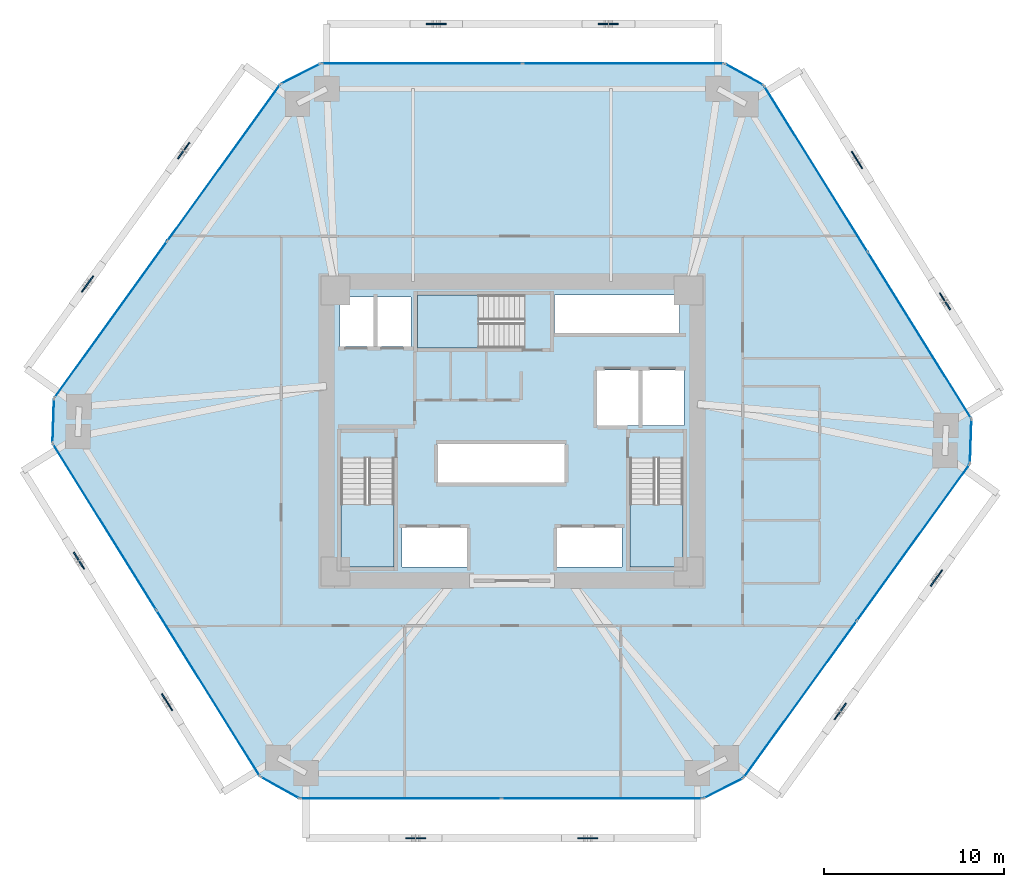
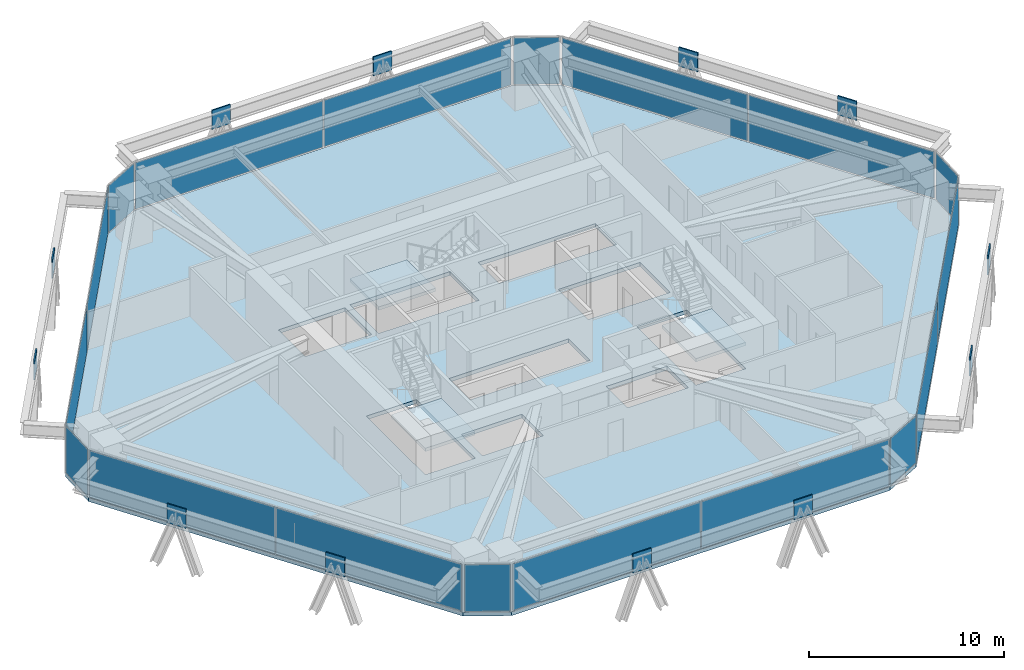
# One storey, part 10 of 16: 30 plates, 4 slabs, 15 elements without a shape of their own.
"""IFC4 building model written with IfcOpenShell, lengths in metres."""

import ifcopenshell
import ifcopenshell.guid

model = None  # the IFC model being written
_history = None  # IfcOwnerHistory: only IFC2X3 demands one
_inside = {}  # id of a spatial element -> (the spatial element, [elements in it])
_under = {}  # id of a project, library or spatial element -> (it, [spatial elements below it])
_declared = {}  # id of a project -> (the project, [libraries it declares])
_typed = {}  # id of a type object -> (the type object, [elements of that type])
_made_of = {}  # id of a material, layer set ... -> (it, [elements and type objects made of it])


def new_model(schema):
    """Start an empty IFC model of exactly this schema.

    Asked for "IFC4X3", IfcOpenShell would pick the latest addendum, in which some entities
    have other attributes; the version numbers below select the first issue.
    IFC2X3 requires an IfcOwnerHistory on every rooted entity: one is made here for all.
    """
    global model, _history
    if schema == "IFC4X3":
        model = ifcopenshell.file(schema_version=(4, 3, 0, 0))
    else:
        model = ifcopenshell.file(schema=schema)
    _inside.clear()
    _under.clear()
    _declared.clear()
    _typed.clear()
    _made_of.clear()
    _history = None
    if model.schema == "IFC2X3":
        org = make("IfcOrganization", Name="unknown")
        user = make(
            "IfcPersonAndOrganization",
            ThePerson=make("IfcPerson", FamilyName="unknown"),
            TheOrganization=org,
        )
        app = make(
            "IfcApplication",
            ApplicationDeveloper=org,
            Version="unknown",
            ApplicationFullName="unknown",
            ApplicationIdentifier="unknown",
        )
        _history = make(
            "IfcOwnerHistory",
            OwningUser=user,
            OwningApplication=app,
            ChangeAction="ADDED",
            CreationDate=0,
        )
    return model


def make(cls, **values):
    """One entity of the class cls with the attributes given. An attribute that is None is left unset."""
    return model.create_entity(
        cls, **{name: value for name, value in values.items() if value is not None}
    )


def rooted(cls, **values):
    """An entity with a GlobalId (a new one), such as an element, a storey or a relation."""
    return make(cls, GlobalId=ifcopenshell.guid.new(), OwnerHistory=_history, **values)


def si_unit(unit_type, name, prefix=None):
    """IfcSIUnit, for example si_unit("LENGTHUNIT", "METRE", prefix="MILLI")."""
    return make("IfcSIUnit", UnitType=unit_type, Prefix=prefix, Name=name)


def assignment(units):
    """IfcUnitAssignment: the units of a project."""
    return None if units is None else make("IfcUnitAssignment", Units=units)


def point(xyz):
    """IfcCartesianPoint."""
    return None if xyz is None else make("IfcCartesianPoint", Coordinates=xyz)


def direction(xyz):
    """IfcDirection."""
    return None if xyz is None else make("IfcDirection", DirectionRatios=xyz)


def frame(location, z_axis=None, x_axis=None):
    """IfcAxis2Placement3D, a coordinate frame: its origin and axes. An axis left out is left unset."""
    return make(
        "IfcAxis2Placement3D",
        Location=point(location),
        Axis=direction(z_axis),
        RefDirection=direction(x_axis),
    )


def frame_2d(location, x_axis=None):
    """IfcAxis2Placement2D, a coordinate frame in the plane: its origin and x axis."""
    return make(
        "IfcAxis2Placement2D", Location=point(location), RefDirection=direction(x_axis)
    )


def origin():
    """The frame at (0, 0, 0) with its axes left unset."""
    return frame((0.0, 0.0, 0.0))


def origin_2d():
    """The frame at (0, 0) in the plane with its x axis left unset."""
    return frame_2d((0.0, 0.0))


def place(relative_to, where):
    """IfcLocalPlacement: puts the frame where relative to a parent placement (None: the world)."""
    return make(
        "IfcLocalPlacement", PlacementRelTo=relative_to, RelativePlacement=where
    )


def context(
    kind, dimensions, precision=None, world=None, true_north=None, identifier=None
):
    """IfcGeometricRepresentationContext, for example the 3D "Model" context."""
    return make(
        "IfcGeometricRepresentationContext",
        ContextIdentifier=identifier,
        ContextType=kind,
        CoordinateSpaceDimension=dimensions,
        Precision=precision,
        WorldCoordinateSystem=world,
        TrueNorth=true_north,
    )


def subcontext(parent, identifier, kind, view, scale=None):
    """IfcGeometricRepresentationSubContext, for example "Body" below "Model"."""
    return make(
        "IfcGeometricRepresentationSubContext",
        ContextIdentifier=identifier,
        ContextType=kind,
        ParentContext=parent,
        TargetScale=scale,
        TargetView=view,
    )


def project(units=None, contexts=None):
    """IfcProject with its units and contexts."""
    return rooted(
        "IfcProject",
        Name="project",
        RepresentationContexts=contexts,
        UnitsInContext=assignment(units),
    )


def spatial(cls, under=None, at=None, **own):
    """A site, building, storey or space (cls), placed at a placement, below another one or the project."""
    s = rooted(cls, ObjectPlacement=at, **own)
    if under is not None:
        _under.setdefault(under.id(), (under, []))[1].append(s)
    return s


def polyline(points):
    """IfcPolyline through the points."""
    return make("IfcPolyline", Points=[point(p) for p in points])


def profile(cls, at=None, kind="AREA", **sizes):
    """A parametric profile (cls). Its sizes go by their IFC names, for example OverallWidth=200.0."""
    return make(cls, ProfileType=kind, Position=at, **sizes)


def rectangle(**sizes):
    """IfcRectangleProfileDef."""
    return profile("IfcRectangleProfileDef", **sizes)


def outline(outer, holes=None, kind="AREA"):
    """IfcArbitraryClosedProfileDef: a profile drawn as a closed curve; with holes, ...WithVoids."""
    if holes is None:
        return make("IfcArbitraryClosedProfileDef", ProfileType=kind, OuterCurve=outer)
    return make(
        "IfcArbitraryProfileDefWithVoids",
        ProfileType=kind,
        OuterCurve=outer,
        InnerCurves=holes,
    )


def extrude(swept, where, along, depth):
    """IfcExtrudedAreaSolid: the profile swept, set in the frame where, extruded along a direction by depth."""
    return make(
        "IfcExtrudedAreaSolid",
        SweptArea=swept,
        Position=where,
        ExtrudedDirection=direction(along),
        Depth=depth,
    )


def shape(context_of_items, identifier, shape_type, items):
    """IfcShapeRepresentation: the items that make up one representation, for example the "Body"."""
    return make(
        "IfcShapeRepresentation",
        ContextOfItems=context_of_items,
        RepresentationIdentifier=identifier,
        RepresentationType=shape_type,
        Items=items,
    )


def source(mapping_origin, context_of_items, identifier, shape_type, items):
    """IfcRepresentationMap: a shape defined once, which mapped items show again and again."""
    return make(
        "IfcRepresentationMap",
        MappingOrigin=mapping_origin,
        MappedRepresentation=shape(context_of_items, identifier, shape_type, items),
    )


def transform(
    local_origin,
    x_axis=None,
    y_axis=None,
    z_axis=None,
    scale=None,
    scale2=None,
    scale3=None,
    uniform=True,
):
    """IfcCartesianTransformationOperator3D, or its non-uniform kind. x_axis, y_axis, z_axis: its Axis1, 2, 3."""
    if uniform:
        return make(
            "IfcCartesianTransformationOperator3D",
            Axis1=direction(x_axis),
            Axis2=direction(y_axis),
            LocalOrigin=point(local_origin),
            Scale=scale,
            Axis3=direction(z_axis),
        )
    return make(
        "IfcCartesianTransformationOperator3DnonUniform",
        Axis1=direction(x_axis),
        Axis2=direction(y_axis),
        LocalOrigin=point(local_origin),
        Scale=scale,
        Axis3=direction(z_axis),
        Scale2=scale2,
        Scale3=scale3,
    )


def mapped(mapping_source, mapping_target):
    """IfcMappedItem: shows the shape of a source again, moved by a transform."""
    return make(
        "IfcMappedItem", MappingSource=mapping_source, MappingTarget=mapping_target
    )


def material(Name=None, Category=None):
    """IfcMaterial."""
    return make("IfcMaterial", Name=Name, Category=Category)


def layer(
    of_material, thickness, ventilated=None, Name=None, Category=None, Priority=None
):
    """IfcMaterialLayer: one layer of a wall or slab, of a material (None: an air gap)."""
    return make(
        "IfcMaterialLayer",
        Material=of_material,
        LayerThickness=thickness,
        IsVentilated=ventilated,
        Name=Name,
        Category=Category,
        Priority=Priority,
    )


def layer_set(layers, Name=None):
    """IfcMaterialLayerSet."""
    return make("IfcMaterialLayerSet", MaterialLayers=layers, LayerSetName=Name)


def made_of(thing, what):
    """Note that an element or type object is made of a material, layer set ...; save() writes the relation."""
    if what is not None:
        _made_of.setdefault(what.id(), (what, []))[1].append(thing)
    return thing


def type_object(cls, material=None, **own):
    """A type object (cls), such as IfcWallType, which elements share."""
    return made_of(rooted(cls, **own), material)


def type_shapes(of_type, sources):
    """Give a type object the sources (RepresentationMaps) that its elements show as mapped items."""
    of_type.RepresentationMaps = sources


def element(
    cls,
    number,
    at=None,
    inside=None,
    cuts=None,
    type_object=None,
    material=None,
    context=None,
    identifier="Body",
    shape_type=None,
    held_by="IfcProductDefinitionShape",
    body=None,
    shapes=None,
    **own,
):
    """One element of the class cls, such as IfcWall. Its Tag is "e" and its number.

    at: its placement. inside: the storey or other place that contains it. cuts: it is an
    opening in that element (IfcRelVoidsElement). A single representation is given by context,
    identifier, shape_type and body (its items); several are given by shapes. held_by: the class
    of the entity that holds the representations. save() writes the other relations.
    """
    e = rooted(cls, Tag="e%d" % number, ObjectPlacement=at, **own)
    if body is not None:
        shapes = [shape(context, identifier, shape_type, body)]
    if shapes is not None:
        e.Representation = make(held_by, Representations=shapes)
    if inside is not None:
        _inside.setdefault(inside.id(), (inside, []))[1].append(e)
    if cuts is not None:
        rooted(
            "IfcRelVoidsElement", RelatingBuildingElement=cuts, RelatedOpeningElement=e
        )
    if type_object is not None:
        _typed.setdefault(type_object.id(), (type_object, []))[1].append(e)
    return made_of(e, material)


def aggregate(whole, parts):
    """IfcRelAggregates: a whole, such as a stair, and the parts it consists of."""
    return rooted("IfcRelAggregates", RelatingObject=whole, RelatedObjects=parts)


def save(model, path):
    """Write the relations noted so far, then the file.

    IfcRelAggregates (storeys below a building ...), IfcRelContainedInSpatialStructure (elements
    in a storey), IfcRelDefinesByType, IfcRelAssociatesMaterial and IfcRelDeclares: one each for
    every whole, place, type object, material and project.
    """
    for whole, parts in _under.values():
        aggregate(whole, parts)
    for where, things in _inside.values():
        rooted(
            "IfcRelContainedInSpatialStructure",
            RelatedElements=things,
            RelatingStructure=where,
        )
    for kind, things in _typed.values():
        rooted("IfcRelDefinesByType", RelatedObjects=things, RelatingType=kind)
    for what, things in _made_of.values():
        rooted("IfcRelAssociatesMaterial", RelatedObjects=things, RelatingMaterial=what)
    for by, libraries in _declared.values():
        rooted("IfcRelDeclares", RelatingContext=by, RelatedDefinitions=libraries)
    model.write(path)


model = new_model("IFC4")

# Units and contexts
model_context = context("Model", 3, precision=1e-05, world=origin(), true_north=direction((0.0, 1.0)))
body_context = subcontext(model_context, "Body", "Model", "MODEL_VIEW")
ifc_project = project(units=[si_unit("LENGTHUNIT", "METRE"), si_unit("AREAUNIT", "SQUARE_METRE"), si_unit("VOLUMEUNIT", "CUBIC_METRE"), si_unit("PLANEANGLEUNIT", "RADIAN"), si_unit("MASSUNIT", "GRAM", prefix="KILO")], contexts=[model_context])

# Site, building, storey
site_placement = place(None, origin())
site = spatial("IfcSite", under=ifc_project, at=site_placement, CompositionType="ELEMENT")
building_placement = place(site_placement, origin())
building = spatial("IfcBuilding", under=site, at=building_placement, Name="Durnholm Broadcast Tower", CompositionType="ELEMENT")
storey_placement = place(building_placement, frame((0.0, 0.0, 65.39990234375)))
storey = spatial("IfcBuildingStorey", under=building, at=storey_placement, Name="L16", CompositionType="ELEMENT", Elevation=65.39990234375)

# Slab
ifc_material_1 = material(Name="Concrete C50/60", Category="concrete")
ifc_layer_1 = layer(ifc_material_1, 0.239990234375)
ifc_layer_set_1 = layer_set([ifc_layer_1], Name="Concrete C50/60")
slab_type_1 = type_object("IfcSlabType", Name="SLAB-FLR-240", PredefinedType="FLOOR", material=ifc_layer_set_1)
slab_1_placement = place(storey_placement, frame((0.0, 0.0, -0.239990234375)))
element("IfcSlab", 1, at=slab_1_placement, inside=storey, type_object=slab_type_1, Name="L16 structural floor slab", PredefinedType="FLOOR", context=body_context, shape_type="SweptSolid", body=[
    extrude(outline(polyline([(-13.9794921875, -19.186279296875), (-11.793701171875, -20.39990234375), (10.6201171875, -20.39990234375), (12.845703125, -19.260986328125), (25.419921875, -1.820556640625), (25.50439453125, 0.677978515625), (13.9794921875, 19.186279296875), (11.793701171875, 20.39990234375), (-10.6201171875, 20.39990234375), (-12.845703125, 19.260986328125), (-25.419921875, 1.820556640625), (-25.50439453125, -0.677978515625), (-13.9794921875, -19.186279296875)]), holes=[polyline([(-2.5, -5.35009765625), (-6.10009765625, -5.35009765625), (-6.10009765625, -7.550048828125), (-2.5, -7.550048828125), (-2.5, -5.35009765625)]), polyline([(6.10009765625, -5.35009765625), (2.5, -5.35009765625), (2.5, -7.550048828125), (6.10009765625, -7.550048828125), (6.10009765625, -5.35009765625)]), polyline([(-6.5400390625, -7.550048828125), (-6.5400390625, -1.5), (-9.5, -1.5), (-9.5, -7.550048828125), (-6.5400390625, -7.550048828125)]), polyline([(9.5, -7.550048828125), (9.5, -1.5), (6.5400390625, -1.5), (6.5400390625, -7.550048828125), (9.5, -7.550048828125)]), polyline([(2.949951171875, -0.699951171875), (-4.14990234375, -0.699951171875), (-4.14990234375, -2.89990234375), (2.949951171875, -2.89990234375), (2.949951171875, -0.699951171875)]), polyline([(9.550048828125, 3.39990234375), (4.699951171875, 3.39990234375), (4.699951171875, 0.300048828125), (9.550048828125, 0.300048828125), (9.550048828125, 3.39990234375)]), polyline([(-5.60009765625, 7.449951171875), (-9.550048828125, 7.449951171875), (-9.550048828125, 4.699951171875), (-5.60009765625, 4.699951171875), (-5.60009765625, 7.449951171875)]), polyline([(-5.25, 7.56005859375), (-5.25, 4.60009765625), (0.699951171875, 4.60009765625), (0.699951171875, 7.56005859375), (-5.25, 7.56005859375)]), polyline([(9.31005859375, 5.39990234375), (9.31005859375, 7.550048828125), (2.35009765625, 7.550048828125), (2.35009765625, 5.39990234375), (9.31005859375, 5.39990234375)])]), origin(), (0.0, 0.0, 1.0), 0.239990234375),
])

# Stair, slab
stair_type = type_object("IfcStairType", Name="STAIR-DL-20R1650", PredefinedType="HALF_TURN_STAIR", material=ifc_material_1)
stair_1_placement = place(storey_placement, origin())
stair_1 = element("IfcStair", 2, at=stair_1_placement, inside=storey, type_object=stair_type, Name="L16 ST-1", PredefinedType="HALF_TURN_STAIR")
ifc_layer_2 = layer(ifc_material_1, 0.199951171875)
ifc_layer_set_2 = layer_set([ifc_layer_2], Name="Concrete C50/60")
slab_type_2 = type_object("IfcSlabType", Name="SLAB-LND-200", PredefinedType="LANDING", material=ifc_layer_set_2)
slab_2_placement = place(storey_placement, frame((0.0, 0.0, 1.4501953125)))
slab_2 = element("IfcSlab", 3, at=slab_2_placement, type_object=slab_type_2, Name="ST-1 landing 1", PredefinedType="LANDING", context=body_context, shape_type="SweptSolid", body=[
    extrude(outline(polyline([(-9.5, -4.06494140625), (-9.5, -7.550048828125), (-6.5400390625, -7.550048828125), (-6.5400390625, -4.06494140625), (-9.5, -4.06494140625)])), origin(), (0.0, 0.0, 1.0), 0.199951171875),
])
aggregate(stair_1, [slab_2])

stair_2_placement = place(storey_placement, origin())
stair_2 = element("IfcStair", 4, at=stair_2_placement, inside=storey, type_object=stair_type, Name="L16 ST-2", PredefinedType="HALF_TURN_STAIR")
slab_3_placement = place(storey_placement, frame((0.0, 0.0, 1.4501953125)))
slab_3 = element("IfcSlab", 5, at=slab_3_placement, type_object=slab_type_2, Name="ST-2 landing 1", PredefinedType="LANDING", context=body_context, shape_type="SweptSolid", body=[
    extrude(outline(polyline([(6.5400390625, -4.06494140625), (6.5400390625, -7.550048828125), (9.5, -7.550048828125), (9.5, -4.06494140625), (6.5400390625, -4.06494140625)])), origin(), (0.0, 0.0, 1.0), 0.199951171875),
])
aggregate(stair_2, [slab_3])

stair_3_placement = place(storey_placement, origin())
stair_3 = element("IfcStair", 6, at=stair_3_placement, inside=storey, type_object=stair_type, Name="L16 ST-3", PredefinedType="HALF_TURN_STAIR")
slab_4_placement = place(storey_placement, frame((0.0, 0.0, 1.4501953125)))
slab_4 = element("IfcSlab", 7, at=slab_4_placement, type_object=slab_type_2, Name="ST-3 landing 1", PredefinedType="LANDING", context=body_context, shape_type="SweptSolid", body=[
    extrude(outline(polyline([(-1.864990234375, 7.56005859375), (-5.25, 7.56005859375), (-5.25, 4.60009765625), (-1.864990234375, 4.60009765625), (-1.864990234375, 7.56005859375)])), origin(), (0.0, 0.0, 1.0), 0.199951171875),
])
aggregate(stair_3, [slab_4])

# Plates
ifc_material_2 = material(Name="Steel ASTM A572 Grade 50", Category="steel")
ifc_layer_3 = layer(ifc_material_2, 0.074951171875)
ifc_layer_set_3 = layer_set([ifc_layer_3], Name="Steel ASTM A572 Grade 50")
plate_type_1 = type_object("IfcPlateType", Name="PLT-KN03-GUS", PredefinedType="USERDEFINED", material=ifc_layer_set_3)
shared_shape_1 = source(origin(), body_context, "Body", "SweptSolid", [
    extrude(rectangle(XDim=1.10009765625, YDim=0.074951171875, at=origin_2d()), origin(), (0.0, 0.0, 1.0), 1.199951171875),
])
type_shapes(plate_type_1, [shared_shape_1])
for number, where, z_axis, x_axis, name in (
    (8, (-5.351318359375, -22.60009765625, 1.70849609375), (0.0, 0.0, 1.0), (1.0, 0.0, 0.0), "L16 welded diagrid node gusset plate KN03 F1"),
    (9, (4.202880859375, -22.60009765625, 1.70849609375), (0.0, 0.0, 1.0), (1.0, 0.0, 0.0), "L16 welded diagrid node gusset plate KN03 F1"),
    (10, (18.223388671875, -15.56396484375, 1.70849609375), (0.0, 0.0, 1.0), (0.584816108738, 0.81116590101, 0.0), "L16 welded diagrid node gusset plate KN03 F2"),
    (11, (23.5595703125, -8.16259765625, 1.70849609375), (0.0, 0.0, 1.0), (0.584816108738, 0.81116590101, 0.0), "L16 welded diagrid node gusset plate KN03 F2"),
    (12, (24.036376953125, 7.197509765625, 1.70849609375), (0.0, 0.0, 1.0), (-0.528586500185, 0.848879444811, 0.0), "L16 welded diagrid node gusset plate KN03 F3"),
    (13, (19.14892578125, 15.04638671875, 1.70849609375), (0.0, 0.0, 1.0), (-0.528586500185, 0.848879444811, 0.0), "L16 welded diagrid node gusset plate KN03 F3"),
    (14, (5.351318359375, 22.60009765625, 1.70849609375), (0.0, 0.0, 1.0), (-1.0, 0.0, 0.0), "L16 welded diagrid node gusset plate KN03 F4"),
    (15, (-4.202880859375, 22.60009765625, 1.70849609375), (0.0, 0.0, 1.0), (-1.0, 0.0, 0.0), "L16 welded diagrid node gusset plate KN03 F4"),
    (16, (-18.223388671875, 15.56396484375, 1.70849609375), (0.0, 0.0, 1.0), (-0.584816108738, -0.81116590101, 0.0), "L16 welded diagrid node gusset plate KN03 F5"),
    (17, (-23.5595703125, 8.16259765625, 1.70849609375), (0.0, 0.0, 1.0), (-0.584816108738, -0.81116590101, 0.0), "L16 welded diagrid node gusset plate KN03 F5"),
    (18, (-24.036376953125, -7.197509765625, 1.70849609375), (0.0, 0.0, 1.0), (0.528586500185, -0.848879444811, 0.0), "L16 welded diagrid node gusset plate KN03 F6"),
    (19, (-19.14892578125, -15.04638671875, 1.70849609375), (0.0, 0.0, 1.0), (0.528586500185, -0.848879444811, 0.0), "L16 welded diagrid node gusset plate KN03 F6"),
):
    element("IfcPlate", number, at=place(storey_placement, frame(where, z_axis=z_axis, x_axis=x_axis)), inside=storey, type_object=plate_type_1, Name=name, ObjectType="GUSSET_PLATE", PredefinedType="USERDEFINED", context=body_context, shape_type="MappedRepresentation", body=[
        mapped(shared_shape_1, transform((0.0, 0.0, 0.0), x_axis=(1.0, 0.0, 0.0), y_axis=(0.0, 1.0, 0.0), z_axis=(0.0, 0.0, 1.0), scale=1.0)),
    ])

# Curtain wall, plate
ifc_material_3 = material(Name="Aluminium and Solar Control IGU", Category="aluminium")
ifc_layer_4 = layer(ifc_material_3, 0.1650390625)
ifc_layer_set_4 = layer_set([ifc_layer_4], Name="Aluminium and Solar Control IGU")
curtain_wall_type_1 = type_object("IfcCurtainWallType", Name="CW-SYS-5", PredefinedType="NOTDEFINED", material=ifc_layer_set_4)
curtain_wall_1_placement = place(storey_placement, origin())
curtain_wall_1 = element("IfcCurtainWall", 20, at=curtain_wall_1_placement, inside=storey, type_object=curtain_wall_type_1, Name="L16 curtain wall CW-CORNER CW-L16-CRN-01", PredefinedType="NOTDEFINED")
ifc_material_4 = material(Name="Low-E Laminated Insulating Glass", Category="glass")
ifc_layer_5 = layer(ifc_material_4, 0.030029296875)
ifc_layer_set_5 = layer_set([ifc_layer_5], Name="Low-E Laminated Insulating Glass")
plate_type_2 = type_object("IfcPlateType", Name="CW-SYS-5-PNL", PredefinedType="CURTAIN_PANEL", material=ifc_layer_set_5)
shared_shape_2 = source(origin(), body_context, "Body", "SweptSolid", [
    extrude(rectangle(XDim=2.3701171875, YDim=0.030029296875, at=origin_2d()), origin(), (0.0, 0.0, 1.0), 2.929931640625),
])
plate_1_placement = place(storey_placement, frame((-25.462158203125, 0.5712890625, 0.06494140625), z_axis=(0.0, 0.0, 1.0), x_axis=(0.033839569233, 0.999427277772, 0.0)))
plate_1 = element("IfcPlate", 21, at=plate_1_placement, type_object=plate_type_2, Name="CW-CORNER panel 1.1", PredefinedType="CURTAIN_PANEL", context=body_context, shape_type="MappedRepresentation", body=[
    mapped(shared_shape_2, transform((0.0, 0.0, 0.0), x_axis=(1.0, 0.0, 0.0), y_axis=(0.0, 1.0, 0.0), z_axis=(0.0, 0.0, 1.0), scale=1.0)),
])
aggregate(curtain_wall_1, [plate_1])

curtain_wall_2_placement = place(storey_placement, origin())
curtain_wall_2 = element("IfcCurtainWall", 22, at=curtain_wall_2_placement, inside=storey, type_object=curtain_wall_type_1, Name="L16 curtain wall CW-CORNER CW-L16-CRN-03", PredefinedType="NOTDEFINED")
plate_2_placement = place(storey_placement, frame((-11.73291015625, 19.83056640625, 0.06494140625), z_axis=(0.0, 0.0, 1.0), x_axis=(0.890187804512, 0.455593758406, 0.0)))
plate_2 = element("IfcPlate", 23, at=plate_2_placement, type_object=plate_type_2, Name="CW-CORNER panel 1.1", PredefinedType="CURTAIN_PANEL", context=body_context, shape_type="MappedRepresentation", body=[
    mapped(shared_shape_2, transform((0.0, 0.0, 0.0), x_axis=(1.0, 0.0, 0.0), y_axis=(0.0, 1.0, 0.0), z_axis=(0.0, 0.0, 1.0), scale=1.0)),
])
aggregate(curtain_wall_2, [plate_2])

curtain_wall_3_placement = place(storey_placement, origin())
curtain_wall_3 = element("IfcCurtainWall", 24, at=curtain_wall_3_placement, inside=storey, type_object=curtain_wall_type_1, Name="L16 curtain wall CW-CORNER CW-L16-CRN-07", PredefinedType="NOTDEFINED")
plate_3_placement = place(storey_placement, frame((25.462158203125, -0.5712890625, 0.06494140625), z_axis=(0.0, 0.0, 1.0), x_axis=(-0.033839569233, -0.999427277772, 0.0)))
plate_3 = element("IfcPlate", 25, at=plate_3_placement, type_object=plate_type_2, Name="CW-CORNER panel 1.1", PredefinedType="CURTAIN_PANEL", context=body_context, shape_type="MappedRepresentation", body=[
    mapped(shared_shape_2, transform((0.0, 0.0, 0.0), x_axis=(1.0, 0.0, 0.0), y_axis=(0.0, 1.0, 0.0), z_axis=(0.0, 0.0, 1.0), scale=1.0)),
])
aggregate(curtain_wall_3, [plate_3])

curtain_wall_4_placement = place(storey_placement, origin())
curtain_wall_4 = element("IfcCurtainWall", 26, at=curtain_wall_4_placement, inside=storey, type_object=curtain_wall_type_1, Name="L16 curtain wall CW-CORNER CW-L16-CRN-09", PredefinedType="NOTDEFINED")
plate_4_placement = place(storey_placement, frame((11.73291015625, -19.83056640625, 0.06494140625), z_axis=(0.0, 0.0, 1.0), x_axis=(-0.890187804512, -0.455593758406, 0.0)))
plate_4 = element("IfcPlate", 27, at=plate_4_placement, type_object=plate_type_2, Name="CW-CORNER panel 1.1", PredefinedType="CURTAIN_PANEL", context=body_context, shape_type="MappedRepresentation", body=[
    mapped(shared_shape_2, transform((0.0, 0.0, 0.0), x_axis=(1.0, 0.0, 0.0), y_axis=(0.0, 1.0, 0.0), z_axis=(0.0, 0.0, 1.0), scale=1.0)),
])
aggregate(curtain_wall_4, [plate_4])

# Curtain wall, plates
ifc_layer_6 = layer(ifc_material_3, 0.18994140625)
ifc_layer_set_6 = layer_set([ifc_layer_6], Name="Aluminium and Solar Control IGU")
curtain_wall_type_2 = type_object("IfcCurtainWallType", Name="CW-SYS-3", PredefinedType="NOTDEFINED", material=ifc_layer_set_6)
curtain_wall_5_placement = place(storey_placement, origin())
curtain_wall_5 = element("IfcCurtainWall", 28, at=curtain_wall_5_placement, inside=storey, type_object=curtain_wall_type_2, Name="L16 curtain wall CW-Z12-VIS CW-L16-F02", PredefinedType="NOTDEFINED")
ifc_layer_7 = layer(ifc_material_4, 0.031982421875)
ifc_layer_set_7 = layer_set([ifc_layer_7], Name="Low-E Laminated Insulating Glass")
plate_type_3 = type_object("IfcPlateType", Name="CW-SYS-3-PNL", PredefinedType="CURTAIN_PANEL", material=ifc_layer_set_7)
shared_shape_3 = source(origin(), body_context, "Body", "SweptSolid", [
    extrude(rectangle(XDim=10.645263671875, YDim=0.031982421875, at=origin_2d()), origin(), (0.0, 0.0, 1.0), 2.919921875),
])
plate_5_placement = place(storey_placement, frame((-22.26611328125, 6.19482421875, 0.070068359375), z_axis=(0.0, 0.0, 1.0), x_axis=(0.584823496176, 0.81116057493, 0.0)))
plate_5 = element("IfcPlate", 29, at=plate_5_placement, type_object=plate_type_3, Name="CW-Z12-VIS panel 1.1", PredefinedType="CURTAIN_PANEL", context=body_context, shape_type="MappedRepresentation", body=[
    mapped(shared_shape_3, transform((0.0, 0.0, 0.0), x_axis=(1.0, 0.0, 0.0), y_axis=(0.0, 1.0, 0.0), z_axis=(0.0, 0.0, 1.0), scale=1.0)),
])
plate_6_placement = place(storey_placement, frame((-15.99951171875, 14.88671875, 0.070068359375), z_axis=(0.0, 0.0, 1.0), x_axis=(0.584823496176, 0.81116057493, 0.0)))
plate_6 = element("IfcPlate", 30, at=plate_6_placement, type_object=plate_type_3, Name="CW-Z12-VIS panel 2.1", PredefinedType="CURTAIN_PANEL", context=body_context, shape_type="MappedRepresentation", body=[
    mapped(shared_shape_3, transform((0.0, 0.0, 0.0), x_axis=(1.0, 0.0, 0.0), y_axis=(0.0, 1.0, 0.0), z_axis=(0.0, 0.0, 1.0), scale=1.0)),
])
aggregate(curtain_wall_5, [plate_5, plate_6])

curtain_wall_6_placement = place(storey_placement, origin())
curtain_wall_6 = element("IfcCurtainWall", 31, at=curtain_wall_6_placement, inside=storey, type_object=curtain_wall_type_2, Name="L16 curtain wall CW-Z12-VIS CW-L16-F08", PredefinedType="NOTDEFINED")
plate_7_placement = place(storey_placement, frame((22.26611328125, -6.19482421875, 0.070068359375), z_axis=(0.0, 0.0, 1.0), x_axis=(-0.584823496176, -0.81116057493, 0.0)))
plate_7 = element("IfcPlate", 32, at=plate_7_placement, type_object=plate_type_3, Name="CW-Z12-VIS panel 1.1", PredefinedType="CURTAIN_PANEL", context=body_context, shape_type="MappedRepresentation", body=[
    mapped(shared_shape_3, transform((0.0, 0.0, 0.0), x_axis=(1.0, 0.0, 0.0), y_axis=(0.0, 1.0, 0.0), z_axis=(0.0, 0.0, 1.0), scale=1.0)),
])
plate_8_placement = place(storey_placement, frame((15.99951171875, -14.88671875, 0.070068359375), z_axis=(0.0, 0.0, 1.0), x_axis=(-0.584823496176, -0.81116057493, 0.0)))
plate_8 = element("IfcPlate", 33, at=plate_8_placement, type_object=plate_type_3, Name="CW-Z12-VIS panel 2.1", PredefinedType="CURTAIN_PANEL", context=body_context, shape_type="MappedRepresentation", body=[
    mapped(shared_shape_3, transform((0.0, 0.0, 0.0), x_axis=(1.0, 0.0, 0.0), y_axis=(0.0, 1.0, 0.0), z_axis=(0.0, 0.0, 1.0), scale=1.0)),
])
aggregate(curtain_wall_6, [plate_7, plate_8])

# Curtain wall, plate
curtain_wall_7_placement = place(storey_placement, origin())
curtain_wall_7 = element("IfcCurtainWall", 34, at=curtain_wall_7_placement, inside=storey, type_object=curtain_wall_type_1, Name="L16 curtain wall CW-CORNER CW-L16-CRN-05", PredefinedType="NOTDEFINED")
shared_shape_4 = source(origin(), body_context, "Body", "SweptSolid", [
    extrude(rectangle(XDim=2.369873046875, YDim=0.030029296875, at=origin_2d()), origin(), (0.0, 0.0, 1.0), 2.929931640625),
])
type_shapes(plate_type_2, [shared_shape_2, shared_shape_4])
plate_9_placement = place(storey_placement, frame((12.88671875, 19.793212890625, 0.06494140625), z_axis=(0.0, 0.0, 1.0), x_axis=(0.874245941394, -0.485483299359, 0.0)))
plate_9 = element("IfcPlate", 35, at=plate_9_placement, type_object=plate_type_2, Name="CW-CORNER panel 1.1", PredefinedType="CURTAIN_PANEL", context=body_context, shape_type="MappedRepresentation", body=[
    mapped(shared_shape_4, transform((0.0, 0.0, 0.0), x_axis=(1.0, 0.0, 0.0), y_axis=(0.0, 1.0, 0.0), z_axis=(0.0, 0.0, 1.0), scale=1.0)),
])
aggregate(curtain_wall_7, [plate_9])

curtain_wall_8_placement = place(storey_placement, origin())
curtain_wall_8 = element("IfcCurtainWall", 36, at=curtain_wall_8_placement, inside=storey, type_object=curtain_wall_type_1, Name="L16 curtain wall CW-CORNER CW-L16-CRN-11", PredefinedType="NOTDEFINED")
plate_10_placement = place(storey_placement, frame((-12.88671875, -19.793212890625, 0.06494140625), z_axis=(0.0, 0.0, 1.0), x_axis=(-0.874245941394, 0.485483299359, 0.0)))
plate_10 = element("IfcPlate", 37, at=plate_10_placement, type_object=plate_type_2, Name="CW-CORNER panel 1.1", PredefinedType="CURTAIN_PANEL", context=body_context, shape_type="MappedRepresentation", body=[
    mapped(shared_shape_4, transform((0.0, 0.0, 0.0), x_axis=(1.0, 0.0, 0.0), y_axis=(0.0, 1.0, 0.0), z_axis=(0.0, 0.0, 1.0), scale=1.0)),
])
aggregate(curtain_wall_8, [plate_10])

# Curtain wall, plates
curtain_wall_9_placement = place(storey_placement, origin())
curtain_wall_9 = element("IfcCurtainWall", 38, at=curtain_wall_9_placement, inside=storey, type_object=curtain_wall_type_2, Name="L16 curtain wall CW-Z12-VIS CW-L16-F06", PredefinedType="NOTDEFINED")
shared_shape_5 = source(origin(), body_context, "Body", "SweptSolid", [
    extrude(rectangle(XDim=10.796630859375, YDim=0.031982421875, at=origin_2d()), origin(), (0.0, 0.0, 1.0), 2.919921875),
])
plate_11_placement = place(storey_placement, frame((16.869873046875, 14.54443359375, 0.070068359375), z_axis=(0.0, 0.0, 1.0), x_axis=(0.528592376777, -0.848875785503, 0.0)))
plate_11 = element("IfcPlate", 39, at=plate_11_placement, type_object=plate_type_3, Name="CW-Z12-VIS panel 1.1", PredefinedType="CURTAIN_PANEL", context=body_context, shape_type="MappedRepresentation", body=[
    mapped(shared_shape_5, transform((0.0, 0.0, 0.0), x_axis=(1.0, 0.0, 0.0), y_axis=(0.0, 1.0, 0.0), z_axis=(0.0, 0.0, 1.0), scale=1.0)),
])
plate_12_placement = place(storey_placement, frame((22.614013671875, 5.320068359375, 0.070068359375), z_axis=(0.0, 0.0, 1.0), x_axis=(0.528592376777, -0.848875785503, 0.0)))
plate_12 = element("IfcPlate", 40, at=plate_12_placement, type_object=plate_type_3, Name="CW-Z12-VIS panel 2.1", PredefinedType="CURTAIN_PANEL", context=body_context, shape_type="MappedRepresentation", body=[
    mapped(shared_shape_5, transform((0.0, 0.0, 0.0), x_axis=(1.0, 0.0, 0.0), y_axis=(0.0, 1.0, 0.0), z_axis=(0.0, 0.0, 1.0), scale=1.0)),
])
aggregate(curtain_wall_9, [plate_11, plate_12])

curtain_wall_10_placement = place(storey_placement, origin())
curtain_wall_10 = element("IfcCurtainWall", 41, at=curtain_wall_10_placement, inside=storey, type_object=curtain_wall_type_2, Name="L16 curtain wall CW-Z12-VIS CW-L16-F12", PredefinedType="NOTDEFINED")
plate_13_placement = place(storey_placement, frame((-16.869873046875, -14.54443359375, 0.070068359375), z_axis=(0.0, 0.0, 1.0), x_axis=(-0.528592376777, 0.848875785503, 0.0)))
plate_13 = element("IfcPlate", 42, at=plate_13_placement, type_object=plate_type_3, Name="CW-Z12-VIS panel 1.1", PredefinedType="CURTAIN_PANEL", context=body_context, shape_type="MappedRepresentation", body=[
    mapped(shared_shape_5, transform((0.0, 0.0, 0.0), x_axis=(1.0, 0.0, 0.0), y_axis=(0.0, 1.0, 0.0), z_axis=(0.0, 0.0, 1.0), scale=1.0)),
])
plate_14_placement = place(storey_placement, frame((-22.614013671875, -5.320068359375, 0.070068359375), z_axis=(0.0, 0.0, 1.0), x_axis=(-0.528592376777, 0.848875785503, 0.0)))
plate_14 = element("IfcPlate", 43, at=plate_14_placement, type_object=plate_type_3, Name="CW-Z12-VIS panel 2.1", PredefinedType="CURTAIN_PANEL", context=body_context, shape_type="MappedRepresentation", body=[
    mapped(shared_shape_5, transform((0.0, 0.0, 0.0), x_axis=(1.0, 0.0, 0.0), y_axis=(0.0, 1.0, 0.0), z_axis=(0.0, 0.0, 1.0), scale=1.0)),
])
aggregate(curtain_wall_10, [plate_13, plate_14])

curtain_wall_11_placement = place(storey_placement, origin())
curtain_wall_11 = element("IfcCurtainWall", 44, at=curtain_wall_11_placement, inside=storey, type_object=curtain_wall_type_2, Name="L16 curtain wall CW-Z12-VIS CW-L16-F04", PredefinedType="NOTDEFINED")
shared_shape_6 = source(origin(), body_context, "Body", "SweptSolid", [
    extrude(rectangle(XDim=11.10205078125, YDim=0.031982421875, at=origin_2d()), origin(), (0.0, 0.0, 1.0), 2.919921875),
])
type_shapes(plate_type_3, [shared_shape_3, shared_shape_5, shared_shape_6])
plate_15_placement = place(storey_placement, frame((-4.999267578125, 20.39990234375, 0.070068359375), z_axis=(0.0, 0.0, 1.0), x_axis=(1.0, 0.0, 0.0)))
plate_15 = element("IfcPlate", 45, at=plate_15_placement, type_object=plate_type_3, Name="CW-Z12-VIS panel 1.1", PredefinedType="CURTAIN_PANEL", context=body_context, shape_type="MappedRepresentation", body=[
    mapped(shared_shape_6, transform((0.0, 0.0, 0.0), x_axis=(1.0, 0.0, 0.0), y_axis=(0.0, 1.0, 0.0), z_axis=(0.0, 0.0, 1.0), scale=1.0)),
])
plate_16_placement = place(storey_placement, frame((6.1728515625, 20.39990234375, 0.070068359375), z_axis=(0.0, 0.0, 1.0), x_axis=(1.0, 0.0, 0.0)))
plate_16 = element("IfcPlate", 46, at=plate_16_placement, type_object=plate_type_3, Name="CW-Z12-VIS panel 2.1", PredefinedType="CURTAIN_PANEL", context=body_context, shape_type="MappedRepresentation", body=[
    mapped(shared_shape_6, transform((0.0, 0.0, 0.0), x_axis=(1.0, 0.0, 0.0), y_axis=(0.0, 1.0, 0.0), z_axis=(0.0, 0.0, 1.0), scale=1.0)),
])
aggregate(curtain_wall_11, [plate_15, plate_16])

curtain_wall_12_placement = place(storey_placement, origin())
curtain_wall_12 = element("IfcCurtainWall", 47, at=curtain_wall_12_placement, inside=storey, type_object=curtain_wall_type_2, Name="L16 curtain wall CW-Z12-VIS CW-L16-F10", PredefinedType="NOTDEFINED")
plate_17_placement = place(storey_placement, frame((4.999267578125, -20.39990234375, 0.070068359375), z_axis=(0.0, 0.0, 1.0), x_axis=(-1.0, 0.0, 0.0)))
plate_17 = element("IfcPlate", 48, at=plate_17_placement, type_object=plate_type_3, Name="CW-Z12-VIS panel 1.1", PredefinedType="CURTAIN_PANEL", context=body_context, shape_type="MappedRepresentation", body=[
    mapped(shared_shape_6, transform((0.0, 0.0, 0.0), x_axis=(1.0, 0.0, 0.0), y_axis=(0.0, 1.0, 0.0), z_axis=(0.0, 0.0, 1.0), scale=1.0)),
])
plate_18_placement = place(storey_placement, frame((-6.1728515625, -20.39990234375, 0.070068359375), z_axis=(0.0, 0.0, 1.0), x_axis=(-1.0, 0.0, 0.0)))
plate_18 = element("IfcPlate", 49, at=plate_18_placement, type_object=plate_type_3, Name="CW-Z12-VIS panel 2.1", PredefinedType="CURTAIN_PANEL", context=body_context, shape_type="MappedRepresentation", body=[
    mapped(shared_shape_6, transform((0.0, 0.0, 0.0), x_axis=(1.0, 0.0, 0.0), y_axis=(0.0, 1.0, 0.0), z_axis=(0.0, 0.0, 1.0), scale=1.0)),
])
aggregate(curtain_wall_12, [plate_17, plate_18])

save(model, "model.ifc")
